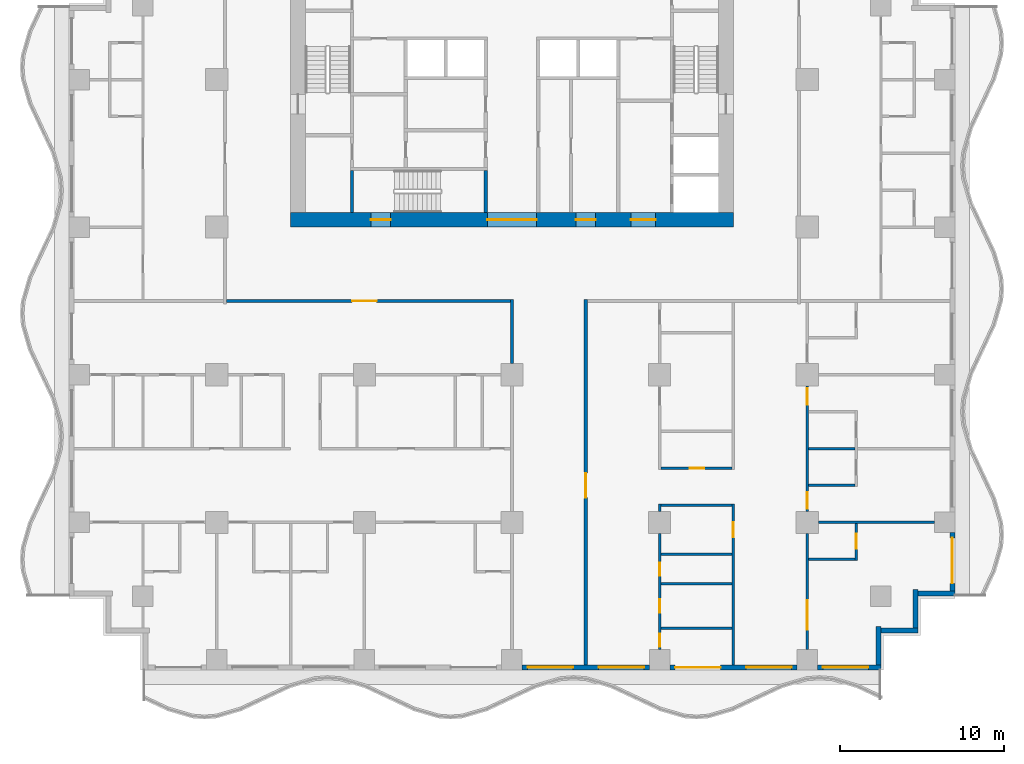
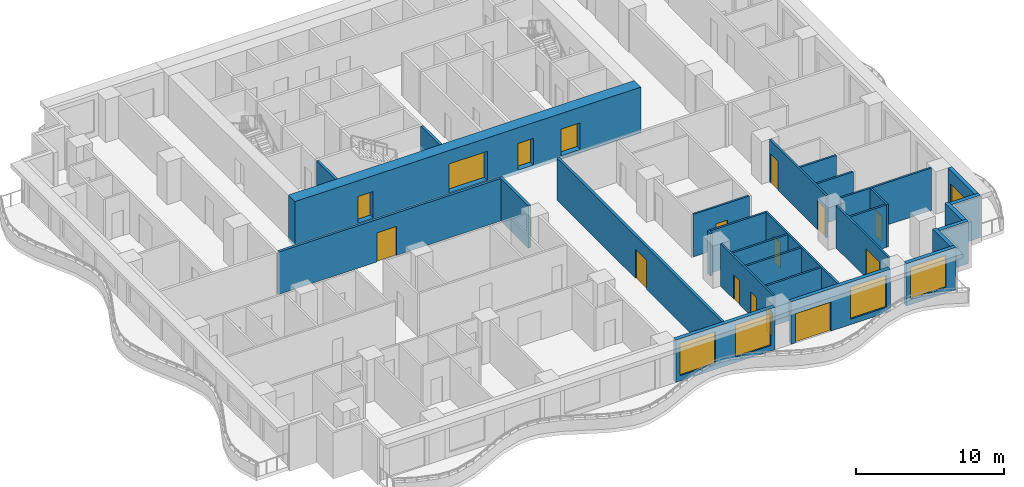
# One storey, part 3 of 14: 29 walls, 17 doors, 4 windows, 21 openings.
"""IFC4 building model written with IfcOpenShell, lengths in metres."""

import ifcopenshell
import ifcopenshell.guid

model = None  # the IFC model being written
_history = None  # IfcOwnerHistory: only IFC2X3 demands one
_inside = {}  # id of a spatial element -> (the spatial element, [elements in it])
_under = {}  # id of a project, library or spatial element -> (it, [spatial elements below it])
_declared = {}  # id of a project -> (the project, [libraries it declares])
_typed = {}  # id of a type object -> (the type object, [elements of that type])
_made_of = {}  # id of a material, layer set ... -> (it, [elements and type objects made of it])


def new_model(schema):
    """Start an empty IFC model of exactly this schema.

    Asked for "IFC4X3", IfcOpenShell would pick the latest addendum, in which some entities
    have other attributes; the version numbers below select the first issue.
    IFC2X3 requires an IfcOwnerHistory on every rooted entity: one is made here for all.
    """
    global model, _history
    if schema == "IFC4X3":
        model = ifcopenshell.file(schema_version=(4, 3, 0, 0))
    else:
        model = ifcopenshell.file(schema=schema)
    _inside.clear()
    _under.clear()
    _declared.clear()
    _typed.clear()
    _made_of.clear()
    _history = None
    if model.schema == "IFC2X3":
        org = make("IfcOrganization", Name="unknown")
        user = make(
            "IfcPersonAndOrganization",
            ThePerson=make("IfcPerson", FamilyName="unknown"),
            TheOrganization=org,
        )
        app = make(
            "IfcApplication",
            ApplicationDeveloper=org,
            Version="unknown",
            ApplicationFullName="unknown",
            ApplicationIdentifier="unknown",
        )
        _history = make(
            "IfcOwnerHistory",
            OwningUser=user,
            OwningApplication=app,
            ChangeAction="ADDED",
            CreationDate=0,
        )
    return model


def make(cls, **values):
    """One entity of the class cls with the attributes given. An attribute that is None is left unset."""
    return model.create_entity(
        cls, **{name: value for name, value in values.items() if value is not None}
    )


def rooted(cls, **values):
    """An entity with a GlobalId (a new one), such as an element, a storey or a relation."""
    return make(cls, GlobalId=ifcopenshell.guid.new(), OwnerHistory=_history, **values)


def si_unit(unit_type, name, prefix=None):
    """IfcSIUnit, for example si_unit("LENGTHUNIT", "METRE", prefix="MILLI")."""
    return make("IfcSIUnit", UnitType=unit_type, Prefix=prefix, Name=name)


def assignment(units):
    """IfcUnitAssignment: the units of a project."""
    return None if units is None else make("IfcUnitAssignment", Units=units)


def point(xyz):
    """IfcCartesianPoint."""
    return None if xyz is None else make("IfcCartesianPoint", Coordinates=xyz)


def direction(xyz):
    """IfcDirection."""
    return None if xyz is None else make("IfcDirection", DirectionRatios=xyz)


def frame(location, z_axis=None, x_axis=None):
    """IfcAxis2Placement3D, a coordinate frame: its origin and axes. An axis left out is left unset."""
    return make(
        "IfcAxis2Placement3D",
        Location=point(location),
        Axis=direction(z_axis),
        RefDirection=direction(x_axis),
    )


def frame_2d(location, x_axis=None):
    """IfcAxis2Placement2D, a coordinate frame in the plane: its origin and x axis."""
    return make(
        "IfcAxis2Placement2D", Location=point(location), RefDirection=direction(x_axis)
    )


def origin():
    """The frame at (0, 0, 0) with its axes left unset."""
    return frame((0.0, 0.0, 0.0))


def place(relative_to, where):
    """IfcLocalPlacement: puts the frame where relative to a parent placement (None: the world)."""
    return make(
        "IfcLocalPlacement", PlacementRelTo=relative_to, RelativePlacement=where
    )


def context(
    kind, dimensions, precision=None, world=None, true_north=None, identifier=None
):
    """IfcGeometricRepresentationContext, for example the 3D "Model" context."""
    return make(
        "IfcGeometricRepresentationContext",
        ContextIdentifier=identifier,
        ContextType=kind,
        CoordinateSpaceDimension=dimensions,
        Precision=precision,
        WorldCoordinateSystem=world,
        TrueNorth=true_north,
    )


def subcontext(parent, identifier, kind, view, scale=None):
    """IfcGeometricRepresentationSubContext, for example "Body" below "Model"."""
    return make(
        "IfcGeometricRepresentationSubContext",
        ContextIdentifier=identifier,
        ContextType=kind,
        ParentContext=parent,
        TargetScale=scale,
        TargetView=view,
    )


def project(units=None, contexts=None):
    """IfcProject with its units and contexts."""
    return rooted(
        "IfcProject",
        Name="project",
        RepresentationContexts=contexts,
        UnitsInContext=assignment(units),
    )


def spatial(cls, under=None, at=None, **own):
    """A site, building, storey or space (cls), placed at a placement, below another one or the project."""
    s = rooted(cls, ObjectPlacement=at, **own)
    if under is not None:
        _under.setdefault(under.id(), (under, []))[1].append(s)
    return s


def profile(cls, at=None, kind="AREA", **sizes):
    """A parametric profile (cls). Its sizes go by their IFC names, for example OverallWidth=200.0."""
    return make(cls, ProfileType=kind, Position=at, **sizes)


def rectangle(**sizes):
    """IfcRectangleProfileDef."""
    return profile("IfcRectangleProfileDef", **sizes)


def extrude(swept, where, along, depth):
    """IfcExtrudedAreaSolid: the profile swept, set in the frame where, extruded along a direction by depth."""
    return make(
        "IfcExtrudedAreaSolid",
        SweptArea=swept,
        Position=where,
        ExtrudedDirection=direction(along),
        Depth=depth,
    )


def shape(context_of_items, identifier, shape_type, items):
    """IfcShapeRepresentation: the items that make up one representation, for example the "Body"."""
    return make(
        "IfcShapeRepresentation",
        ContextOfItems=context_of_items,
        RepresentationIdentifier=identifier,
        RepresentationType=shape_type,
        Items=items,
    )


def material(Name=None, Category=None):
    """IfcMaterial."""
    return make("IfcMaterial", Name=Name, Category=Category)


def layer(
    of_material, thickness, ventilated=None, Name=None, Category=None, Priority=None
):
    """IfcMaterialLayer: one layer of a wall or slab, of a material (None: an air gap)."""
    return make(
        "IfcMaterialLayer",
        Material=of_material,
        LayerThickness=thickness,
        IsVentilated=ventilated,
        Name=Name,
        Category=Category,
        Priority=Priority,
    )


def layer_set(layers, Name=None):
    """IfcMaterialLayerSet."""
    return make("IfcMaterialLayerSet", MaterialLayers=layers, LayerSetName=Name)


def made_of(thing, what):
    """Note that an element or type object is made of a material, layer set ...; save() writes the relation."""
    if what is not None:
        _made_of.setdefault(what.id(), (what, []))[1].append(thing)
    return thing


def type_object(cls, material=None, **own):
    """A type object (cls), such as IfcWallType, which elements share."""
    return made_of(rooted(cls, **own), material)


def element(
    cls,
    number,
    at=None,
    inside=None,
    cuts=None,
    type_object=None,
    material=None,
    context=None,
    identifier="Body",
    shape_type=None,
    held_by="IfcProductDefinitionShape",
    body=None,
    shapes=None,
    **own,
):
    """One element of the class cls, such as IfcWall. Its Tag is "e" and its number.

    at: its placement. inside: the storey or other place that contains it. cuts: it is an
    opening in that element (IfcRelVoidsElement). A single representation is given by context,
    identifier, shape_type and body (its items); several are given by shapes. held_by: the class
    of the entity that holds the representations. save() writes the other relations.
    """
    e = rooted(cls, Tag="e%d" % number, ObjectPlacement=at, **own)
    if body is not None:
        shapes = [shape(context, identifier, shape_type, body)]
    if shapes is not None:
        e.Representation = make(held_by, Representations=shapes)
    if inside is not None:
        _inside.setdefault(inside.id(), (inside, []))[1].append(e)
    if cuts is not None:
        rooted(
            "IfcRelVoidsElement", RelatingBuildingElement=cuts, RelatedOpeningElement=e
        )
    if type_object is not None:
        _typed.setdefault(type_object.id(), (type_object, []))[1].append(e)
    return made_of(e, material)


def fill(opening, filler):
    """IfcRelFillsElement: the door or window that sits in an opening."""
    return rooted(
        "IfcRelFillsElement",
        RelatingOpeningElement=opening,
        RelatedBuildingElement=filler,
    )


def aggregate(whole, parts):
    """IfcRelAggregates: a whole, such as a stair, and the parts it consists of."""
    return rooted("IfcRelAggregates", RelatingObject=whole, RelatedObjects=parts)


def save(model, path):
    """Write the relations noted so far, then the file.

    IfcRelAggregates (storeys below a building ...), IfcRelContainedInSpatialStructure (elements
    in a storey), IfcRelDefinesByType, IfcRelAssociatesMaterial and IfcRelDeclares: one each for
    every whole, place, type object, material and project.
    """
    for whole, parts in _under.values():
        aggregate(whole, parts)
    for where, things in _inside.values():
        rooted(
            "IfcRelContainedInSpatialStructure",
            RelatedElements=things,
            RelatingStructure=where,
        )
    for kind, things in _typed.values():
        rooted("IfcRelDefinesByType", RelatedObjects=things, RelatingType=kind)
    for what, things in _made_of.values():
        rooted("IfcRelAssociatesMaterial", RelatedObjects=things, RelatingMaterial=what)
    for by, libraries in _declared.values():
        rooted("IfcRelDeclares", RelatingContext=by, RelatedDefinitions=libraries)
    model.write(path)


model = new_model("IFC4")

# Units and contexts
model_context = context("Model", 3, precision=1e-05, world=origin(), true_north=direction((0.0, 1.0)))
body_context = subcontext(model_context, "Body", "Model", "MODEL_VIEW")
ifc_project = project(units=[si_unit("LENGTHUNIT", "METRE"), si_unit("AREAUNIT", "SQUARE_METRE"), si_unit("VOLUMEUNIT", "CUBIC_METRE"), si_unit("PLANEANGLEUNIT", "RADIAN"), si_unit("MASSUNIT", "GRAM", prefix="KILO")], contexts=[model_context])

# Site, building, storey
site_placement = place(None, origin())
site = spatial("IfcSite", under=ifc_project, at=site_placement, CompositionType="ELEMENT")
building_placement = place(site_placement, origin())
building = spatial("IfcBuilding", under=site, at=building_placement, Name="Orbiselva Terraces", CompositionType="ELEMENT")
storey_placement = place(building_placement, frame((0.0, 0.0, 107.4)))
storey = spatial("IfcBuildingStorey", under=building, at=storey_placement, Name="L27", CompositionType="ELEMENT", Elevation=107.4)

# Wall, openings, doors
ifc_material_1 = material(Name="Concrete C80/95", Category="concrete")
ifc_layer_1 = layer(ifc_material_1, 0.9)
ifc_layer_set_1 = layer_set([ifc_layer_1], Name="Concrete C80/95")
wall_type_1 = type_object("IfcWallType", Name="CORE WALL 900", PredefinedType="SHEAR", material=ifc_layer_set_1)
wall_1_placement = place(storey_placement, frame((-13.5, 4.95, -0.3), z_axis=(0.0, 0.0, 1.0), x_axis=(1.0, 0.0, 0.0)))
wall_1 = element("IfcWall", 1, at=wall_1_placement, inside=storey, type_object=wall_type_1, Name="Core wall L27 south", PredefinedType="SHEAR", context=body_context, shape_type="SweptSolid", body=[
    extrude(rectangle(XDim=27.0, YDim=0.9, at=frame_2d((13.5, 0.0))), origin(), (0.0, 0.0, 1.0), 3.8),
])
opening_1_placement = place(wall_1_placement, frame((12.0, 0.0, 0.3)))
opening_1 = element("IfcOpeningElement", 2, at=opening_1_placement, cuts=wall_1, Name="Opening DL3000", PredefinedType="OPENING", context=body_context, shape_type="SweptSolid", body=[
    extrude(rectangle(XDim=3.0, YDim=2.4, at=frame_2d((1.5, 1.2))), frame((0.0, 0.46, 0.0), z_axis=(0.0, -1.0, 0.0), x_axis=(1.0, 0.0, 0.0)), (0.0, 0.0, 1.0), 0.92),
])
opening_2_placement = place(wall_1_placement, frame((4.9, 0.0, 0.3)))
opening_2 = element("IfcOpeningElement", 3, at=opening_2_placement, cuts=wall_1, Name="Opening DS1200", PredefinedType="OPENING", context=body_context, shape_type="SweptSolid", body=[
    extrude(rectangle(XDim=1.2, YDim=2.2, at=frame_2d((0.6, 1.1))), frame((0.0, 0.46, 0.0), z_axis=(0.0, -1.0, 0.0), x_axis=(1.0, 0.0, 0.0)), (0.0, 0.0, 1.0), 0.92),
])
opening_3_placement = place(wall_1_placement, frame((20.75, 0.0, 0.3)))
opening_3 = element("IfcOpeningElement", 4, at=opening_3_placement, cuts=wall_1, Name="Opening DF1500", PredefinedType="OPENING", context=body_context, shape_type="SweptSolid", body=[
    extrude(rectangle(XDim=1.5, YDim=2.2, at=frame_2d((0.75, 1.1))), frame((0.0, 0.46, 0.0), z_axis=(0.0, -1.0, 0.0), x_axis=(1.0, 0.0, 0.0)), (0.0, 0.0, 1.0), 0.92),
])
opening_4_placement = place(wall_1_placement, frame((17.4, 0.0, 0.3)))
opening_4 = element("IfcOpeningElement", 5, at=opening_4_placement, cuts=wall_1, Name="Opening DV1200", PredefinedType="OPENING", context=body_context, shape_type="SweptSolid", body=[
    extrude(rectangle(XDim=1.2, YDim=2.2, at=frame_2d((0.6, 1.1))), frame((0.0, 0.46, 0.0), z_axis=(0.0, -1.0, 0.0), x_axis=(1.0, 0.0, 0.0)), (0.0, 0.0, 1.0), 0.92),
])
ifc_material_2 = material(Name="Steel fire door", Category="steel")
door_type_1 = type_object("IfcDoorType", Name="FFL DOOR 1500", OperationType="DOUBLE_DOOR_SINGLE_SWING", PredefinedType="DOOR", material=ifc_material_2)
door_1_placement = place(opening_3_placement, frame((1.5, 0.0, 0.0), z_axis=(0.0, 0.0, 1.0), x_axis=(-1.0, 0.0, 0.0)))
door_1 = element("IfcDoor", 6, at=door_1_placement, inside=storey, type_object=door_type_1, Name="L27 FIRE-FIGHTING LOBBY door", OperationType="DOUBLE_DOOR_SINGLE_SWING", OverallHeight=2.2, OverallWidth=1.5, PredefinedType="DOOR", context=body_context, shape_type="SweptSolid", body=[
    extrude(rectangle(XDim=1.5, YDim=2.2, at=frame_2d((0.75, 1.1))), frame((0.0, 0.025, 0.0), z_axis=(0.0, -1.0, 0.0), x_axis=(1.0, 0.0, 0.0)), (0.0, 0.0, 1.0), 0.05),
])
fill(opening_3, door_1)
door_type_2 = type_object("IfcDoorType", Name="LOBBY DOOR 3000", OperationType="DOUBLE_DOOR_SINGLE_SWING", PredefinedType="DOOR", material=ifc_material_2)
door_2_placement = place(opening_1_placement, frame((3.0, 0.0, 0.0), z_axis=(0.0, 0.0, 1.0), x_axis=(-1.0, 0.0, 0.0)))
door_2 = element("IfcDoor", 7, at=door_2_placement, inside=storey, type_object=door_type_2, Name="L27 LIFT LOBBY door", OperationType="DOUBLE_DOOR_SINGLE_SWING", OverallHeight=2.4, OverallWidth=3.0, PredefinedType="DOOR", context=body_context, shape_type="SweptSolid", body=[
    extrude(rectangle(XDim=3.0, YDim=2.4, at=frame_2d((1.5, 1.2))), frame((0.0, 0.025, 0.0), z_axis=(0.0, -1.0, 0.0), x_axis=(1.0, 0.0, 0.0)), (0.0, 0.0, 1.0), 0.05),
])
fill(opening_1, door_2)
door_type_3 = type_object("IfcDoorType", Name="SERVICE DOOR 1200", OperationType="NOTDEFINED", PredefinedType="DOOR", material=ifc_material_2)
door_3_placement = place(opening_4_placement, frame((1.2, 0.0, 0.0), z_axis=(0.0, 0.0, 1.0), x_axis=(-1.0, 0.0, 0.0)))
door_3 = element("IfcDoor", 8, at=door_3_placement, inside=storey, type_object=door_type_3, Name="L27 SERVICE ROOM door", OperationType="SINGLE_SWING_RIGHT", OverallHeight=2.2, OverallWidth=1.2, PredefinedType="DOOR", context=body_context, shape_type="SweptSolid", body=[
    extrude(rectangle(XDim=1.2, YDim=2.2, at=frame_2d((0.6, 1.1))), frame((0.0, 0.025, 0.0), z_axis=(0.0, -1.0, 0.0), x_axis=(1.0, 0.0, 0.0)), (0.0, 0.0, 1.0), 0.05),
])
fill(opening_4, door_3)
door_type_4 = type_object("IfcDoorType", Name="STAIR DOOR 1200", OperationType="NOTDEFINED", PredefinedType="DOOR", material=ifc_material_2)
door_4_placement = place(opening_2_placement, frame((1.2, 0.0, 0.0), z_axis=(0.0, 0.0, 1.0), x_axis=(-1.0, 0.0, 0.0)))
door_4 = element("IfcDoor", 9, at=door_4_placement, inside=storey, type_object=door_type_4, Name="L27 EXIT STAIR S3 door", OperationType="SINGLE_SWING_LEFT", OverallHeight=2.2, OverallWidth=1.2, PredefinedType="DOOR", context=body_context, shape_type="SweptSolid", body=[
    extrude(rectangle(XDim=1.2, YDim=2.2, at=frame_2d((0.6, 1.1))), frame((0.0, 0.025, 0.0), z_axis=(0.0, -1.0, 0.0), x_axis=(1.0, 0.0, 0.0)), (0.0, 0.0, 1.0), 0.05),
])
fill(opening_2, door_4)

# Walls
ifc_material_3 = material(Name="Concrete C60/75", Category="concrete")
ifc_layer_2 = layer(ifc_material_3, 0.2)
ifc_layer_set_2 = layer_set([ifc_layer_2], Name="Concrete C60/75")
wall_type_2 = type_object("IfcWallType", Name="CORE-WALL-SHEAR-200", PredefinedType="SHEAR", material=ifc_layer_set_2)
for number, where, z_axis, x_axis, name in (
    (10, (-9.75, 5.4, 0.0), (0.0, 0.0, 1.0), (0.0, 1.0, 0.0), "L27 core wall 03"),
    (11, (-1.6, 5.4, 0.0), (0.0, 0.0, 1.0), (0.0, 1.0, 0.0), "L27 core wall 24"),
):
    element("IfcWall", number, at=place(storey_placement, frame(where, z_axis=z_axis, x_axis=x_axis)), inside=storey, type_object=wall_type_2, Name=name, PredefinedType="SHEAR", context=body_context, shape_type="SweptSolid", body=[
        extrude(rectangle(XDim=2.55, YDim=0.2, at=frame_2d((1.275, 0.0))), origin(), (0.0, 0.0, 1.0), 3.5),
    ])

# Wall, openings, windows
ifc_material_4 = material(Name="Terracotta cladding on masonry backing", Category="masonry")
ifc_layer_3 = layer(ifc_material_4, 0.3)
ifc_layer_set_3 = layer_set([ifc_layer_3], Name="Terracotta cladding on masonry backing")
wall_type_3 = type_object("IfcWallType", Name="ENV-WALL-TERRACOTTA-300", PredefinedType="SOLIDWALL", material=ifc_layer_set_3)
wall_2_placement = place(storey_placement, frame((8.375, -22.35, 0.0), z_axis=(0.0, 0.0, 1.0), x_axis=(-1.0, 0.0, 0.0)))
wall_2 = element("IfcWall", 12, at=wall_2_placement, inside=storey, type_object=wall_type_3, Name="Facade wall L27 S", PredefinedType="SOLIDWALL", context=body_context, shape_type="SweptSolid", body=[
    extrude(rectangle(XDim=7.75, YDim=0.3, at=frame_2d((3.875, 0.0))), origin(), (0.0, 0.0, 1.0), 3.5),
])
opening_5_placement = place(wall_2_placement, frame((4.65, 0.0, 0.45)))
opening_5 = element("IfcOpeningElement", 13, at=opening_5_placement, cuts=wall_2, Name="Opening WN6", PredefinedType="OPENING", context=body_context, shape_type="SweptSolid", body=[
    extrude(rectangle(XDim=2.775, YDim=2.65, at=frame_2d((1.3875, 1.325))), frame((0.0, 0.16, 0.0), z_axis=(0.0, -1.0, 0.0), x_axis=(1.0, 0.0, 0.0)), (0.0, 0.0, 1.0), 0.32),
])
opening_6_placement = place(wall_2_placement, frame((0.325, 0.0, 0.45)))
opening_6 = element("IfcOpeningElement", 14, at=opening_6_placement, cuts=wall_2, Name="Opening WN6", PredefinedType="OPENING", context=body_context, shape_type="SweptSolid", body=[
    extrude(rectangle(XDim=2.775, YDim=2.65, at=frame_2d((1.3875, 1.325))), frame((0.0, 0.16, 0.0), z_axis=(0.0, -1.0, 0.0), x_axis=(1.0, 0.0, 0.0)), (0.0, 0.0, 1.0), 0.32),
])
ifc_material_5 = material(Name="Clear low-e glazing in aluminium frame", Category="aluminium")
window_type = type_object("IfcWindowType", Name="WINDOW 2775 X 2650 S450", PartitioningType="TRIPLE_PANEL_VERTICAL", PredefinedType="WINDOW", material=ifc_material_5)
window_1_placement = place(opening_5_placement, origin())
window_1 = element("IfcWindow", 15, at=window_1_placement, inside=storey, type_object=window_type, Name="Window L27 S", OverallHeight=2.65, OverallWidth=2.775, PartitioningType="SINGLE_PANEL", PredefinedType="WINDOW", context=body_context, shape_type="SweptSolid", body=[
    extrude(rectangle(XDim=2.775, YDim=2.65, at=frame_2d((1.3875, 1.325))), frame((0.0, 0.03, 0.0), z_axis=(0.0, -1.0, 0.0), x_axis=(1.0, 0.0, 0.0)), (0.0, 0.0, 1.0), 0.06),
])
fill(opening_5, window_1)
window_2_placement = place(opening_6_placement, origin())
window_2 = element("IfcWindow", 16, at=window_2_placement, inside=storey, type_object=window_type, Name="Window L27 S", OverallHeight=2.65, OverallWidth=2.775, PartitioningType="SINGLE_PANEL", PredefinedType="WINDOW", context=body_context, shape_type="SweptSolid", body=[
    extrude(rectangle(XDim=2.775, YDim=2.65, at=frame_2d((1.3875, 1.325))), frame((0.0, 0.03, 0.0), z_axis=(0.0, -1.0, 0.0), x_axis=(1.0, 0.0, 0.0)), (0.0, 0.0, 1.0), 0.06),
])
fill(opening_6, window_2)

# Wall, openings, door, window
wall_3_placement = place(storey_placement, frame((17.375, -22.35, 0.0), z_axis=(0.0, 0.0, 1.0), x_axis=(-1.0, 0.0, 0.0)))
wall_3 = element("IfcWall", 17, at=wall_3_placement, inside=storey, type_object=wall_type_3, Name="Facade wall L27 S", PredefinedType="SOLIDWALL", context=body_context, shape_type="SweptSolid", body=[
    extrude(rectangle(XDim=7.75, YDim=0.3, at=frame_2d((3.875, 0.0))), origin(), (0.0, 0.0, 1.0), 3.5),
])
opening_7_placement = place(wall_3_placement, frame((4.65, 0.0, 0.0)))
opening_7 = element("IfcOpeningElement", 18, at=opening_7_placement, cuts=wall_3, Name="Opening Z2-D-E03", PredefinedType="OPENING", context=body_context, shape_type="SweptSolid", body=[
    extrude(rectangle(XDim=2.775, YDim=2.4, at=frame_2d((1.3875, 1.2))), frame((0.0, 0.16, 0.0), z_axis=(0.0, -1.0, 0.0), x_axis=(1.0, 0.0, 0.0)), (0.0, 0.0, 1.0), 0.32),
])
opening_8_placement = place(wall_3_placement, frame((0.325, 0.0, 0.45)))
opening_8 = element("IfcOpeningElement", 19, at=opening_8_placement, cuts=wall_3, Name="Opening WN6", PredefinedType="OPENING", context=body_context, shape_type="SweptSolid", body=[
    extrude(rectangle(XDim=2.775, YDim=2.65, at=frame_2d((1.3875, 1.325))), frame((0.0, 0.16, 0.0), z_axis=(0.0, -1.0, 0.0), x_axis=(1.0, 0.0, 0.0)), (0.0, 0.0, 1.0), 0.32),
])
door_type_5 = type_object("IfcDoorType", Name="BALCONY DOOR 2775 X 2400", OperationType="DOUBLE_DOOR_SLIDING", PredefinedType="DOOR", material=ifc_material_5)
door_5_placement = place(opening_7_placement, origin())
door_5 = element("IfcDoor", 20, at=door_5_placement, inside=storey, type_object=door_type_5, Name="Z2-D-E03", OperationType="SINGLE_SWING_LEFT", OverallHeight=2.4, OverallWidth=2.775, PredefinedType="DOOR", context=body_context, shape_type="SweptSolid", body=[
    extrude(rectangle(XDim=2.775, YDim=2.4, at=frame_2d((1.3875, 1.2))), frame((0.0, 0.025, 0.0), z_axis=(0.0, -1.0, 0.0), x_axis=(1.0, 0.0, 0.0)), (0.0, 0.0, 1.0), 0.05),
])
fill(opening_7, door_5)
window_3_placement = place(opening_8_placement, origin())
window_3 = element("IfcWindow", 21, at=window_3_placement, inside=storey, type_object=window_type, Name="Window L27 S", OverallHeight=2.65, OverallWidth=2.775, PartitioningType="SINGLE_PANEL", PredefinedType="WINDOW", context=body_context, shape_type="SweptSolid", body=[
    extrude(rectangle(XDim=2.775, YDim=2.65, at=frame_2d((1.3875, 1.325))), frame((0.0, 0.03, 0.0), z_axis=(0.0, -1.0, 0.0), x_axis=(1.0, 0.0, 0.0)), (0.0, 0.0, 1.0), 0.06),
])
fill(opening_8, window_3)

# Wall, opening, window
wall_4_placement = place(storey_placement, frame((22.5, -22.35, 0.0), z_axis=(0.0, 0.0, 1.0), x_axis=(-1.0, 0.0, 0.0)))
wall_4 = element("IfcWall", 22, at=wall_4_placement, inside=storey, type_object=wall_type_3, Name="Facade wall L27 S", PredefinedType="SOLIDWALL", context=body_context, shape_type="SweptSolid", body=[
    extrude(rectangle(XDim=3.875, YDim=0.3, at=frame_2d((1.9375, 0.0))), origin(), (0.0, 0.0, 1.0), 3.5),
])
opening_9_placement = place(wall_4_placement, frame((0.775, 0.0, 0.45)))
opening_9 = element("IfcOpeningElement", 23, at=opening_9_placement, cuts=wall_4, Name="Opening WN6", PredefinedType="OPENING", context=body_context, shape_type="SweptSolid", body=[
    extrude(rectangle(XDim=2.775, YDim=2.65, at=frame_2d((1.3875, 1.325))), frame((0.0, 0.16, 0.0), z_axis=(0.0, -1.0, 0.0), x_axis=(1.0, 0.0, 0.0)), (0.0, 0.0, 1.0), 0.32),
])
window_4_placement = place(opening_9_placement, origin())
window_4 = element("IfcWindow", 24, at=window_4_placement, inside=storey, type_object=window_type, Name="Window L27 S", OverallHeight=2.65, OverallWidth=2.775, PartitioningType="SINGLE_PANEL", PredefinedType="WINDOW", context=body_context, shape_type="SweptSolid", body=[
    extrude(rectangle(XDim=2.775, YDim=2.65, at=frame_2d((1.3875, 1.325))), frame((0.0, 0.03, 0.0), z_axis=(0.0, -1.0, 0.0), x_axis=(1.0, 0.0, 0.0)), (0.0, 0.0, 1.0), 0.06),
])
fill(opening_9, window_4)

# Walls
wall_5_placement = place(storey_placement, frame((22.35, -19.85, 0.0), z_axis=(0.0, 0.0, 1.0), x_axis=(0.0, -1.0, 0.0)))
element("IfcWall", 25, at=wall_5_placement, inside=storey, type_object=wall_type_3, Name="Facade wall L27 STEP", PredefinedType="SOLIDWALL", context=body_context, shape_type="SweptSolid", body=[
    extrude(rectangle(XDim=2.35, YDim=0.3, at=frame_2d((1.175, 0.0))), origin(), (0.0, 0.0, 1.0), 3.5),
])
wall_6_placement = place(storey_placement, frame((24.75, -20.1, 0.0), z_axis=(0.0, 0.0, 1.0), x_axis=(-1.0, 0.0, 0.0)))
element("IfcWall", 26, at=wall_6_placement, inside=storey, type_object=wall_type_3, Name="Facade wall L27 STEP", PredefinedType="SOLIDWALL", context=body_context, shape_type="SweptSolid", body=[
    extrude(rectangle(XDim=2.25, YDim=0.3, at=frame_2d((1.125, 0.0))), origin(), (0.0, 0.0, 1.0), 3.5),
])
wall_7_placement = place(storey_placement, frame((24.6, -17.6, 0.0), z_axis=(0.0, 0.0, 1.0), x_axis=(0.0, -1.0, 0.0)))
element("IfcWall", 27, at=wall_7_placement, inside=storey, type_object=wall_type_3, Name="Facade wall L27 STEP", PredefinedType="SOLIDWALL", context=body_context, shape_type="SweptSolid", body=[
    extrude(rectangle(XDim=2.35, YDim=0.3, at=frame_2d((1.175, 0.0))), origin(), (0.0, 0.0, 1.0), 3.5),
])
wall_8_placement = place(storey_placement, frame((27.0, -17.85, 0.0), z_axis=(0.0, 0.0, 1.0), x_axis=(-1.0, 0.0, 0.0)))
element("IfcWall", 28, at=wall_8_placement, inside=storey, type_object=wall_type_3, Name="Facade wall L27 STEP", PredefinedType="SOLIDWALL", context=body_context, shape_type="SweptSolid", body=[
    extrude(rectangle(XDim=2.25, YDim=0.3, at=frame_2d((1.125, 0.0))), origin(), (0.0, 0.0, 1.0), 3.5),
])

# Wall, opening, door
wall_9_placement = place(storey_placement, frame((26.85, -14.125, 0.0), z_axis=(0.0, 0.0, 1.0), x_axis=(0.0, -1.0, 0.0)))
wall_9 = element("IfcWall", 29, at=wall_9_placement, inside=storey, type_object=wall_type_3, Name="Facade wall L27 E", PredefinedType="SOLIDWALL", context=body_context, shape_type="SweptSolid", body=[
    extrude(rectangle(XDim=3.575, YDim=0.3, at=frame_2d((1.7875, 0.0))), origin(), (0.0, 0.0, 1.0), 3.5),
])
opening_10_placement = place(wall_9_placement, frame((0.325, 0.0, 0.0)))
opening_10 = element("IfcOpeningElement", 30, at=opening_10_placement, cuts=wall_9, Name="Opening Z2-D-E14", PredefinedType="OPENING", context=body_context, shape_type="SweptSolid", body=[
    extrude(rectangle(XDim=2.775, YDim=2.4, at=frame_2d((1.3875, 1.2))), frame((0.0, 0.16, 0.0), z_axis=(0.0, -1.0, 0.0), x_axis=(1.0, 0.0, 0.0)), (0.0, 0.0, 1.0), 0.32),
])
door_6_placement = place(opening_10_placement, origin())
door_6 = element("IfcDoor", 31, at=door_6_placement, inside=storey, type_object=door_type_5, Name="Z2-D-E14", OperationType="SINGLE_SWING_LEFT", OverallHeight=2.4, OverallWidth=2.775, PredefinedType="DOOR", context=body_context, shape_type="SweptSolid", body=[
    extrude(rectangle(XDim=2.775, YDim=2.4, at=frame_2d((1.3875, 1.2))), frame((0.0, 0.025, 0.0), z_axis=(0.0, -1.0, 0.0), x_axis=(1.0, 0.0, 0.0)), (0.0, 0.0, 1.0), 0.05),
])
fill(opening_10, door_6)

ifc_material_6 = material(Name="Plasterboard on steel stud partition", Category="steel")
ifc_layer_4 = layer(ifc_material_6, 0.2)
ifc_layer_set_4 = layer_set([ifc_layer_4], Name="Plasterboard on steel stud partition")
wall_type_4 = type_object("IfcWallType", Name="UNIT-ENTRANCE-WALL-200", PredefinedType="PARTITIONING", material=ifc_layer_set_4)
wall_10_placement = place(storey_placement, frame((-0.1, 0.0, 0.0), z_axis=(0.0, 0.0, 1.0), x_axis=(-1.0, 0.0, 0.0)))
wall_10 = element("IfcWall", 32, at=wall_10_placement, inside=storey, type_object=wall_type_4, Name="PARTITION L27-029", PredefinedType="PARTITIONING", context=body_context, shape_type="SweptSolid", body=[
    extrude(rectangle(XDim=17.3, YDim=0.2, at=frame_2d((8.65, 0.0))), origin(), (0.0, 0.0, 1.0), 3.5),
])
opening_11_placement = place(wall_10_placement, frame((8.15, 0.0, 0.0)))
opening_11 = element("IfcOpeningElement", 33, at=opening_11_placement, cuts=wall_10, Name="Opening Z2-D-15", PredefinedType="OPENING", context=body_context, shape_type="SweptSolid", body=[
    extrude(rectangle(XDim=1.5, YDim=2.4, at=frame_2d((0.75, 1.2))), frame((0.0, 0.11, 0.0), z_axis=(0.0, -1.0, 0.0), x_axis=(1.0, 0.0, 0.0)), (0.0, 0.0, 1.0), 0.22),
])
ifc_material_7 = material(Name="Painted timber door leaf", Category="wood")
door_type_6 = type_object("IfcDoorType", Name="ENTRANCE DOUBLE DOOR 1500", OperationType="NOTDEFINED", PredefinedType="DOOR", material=ifc_material_7)
door_7_placement = place(opening_11_placement, origin())
door_7 = element("IfcDoor", 34, at=door_7_placement, inside=storey, type_object=door_type_6, Name="Z2-D-15", OperationType="DOUBLE_DOOR_SINGLE_SWING", OverallHeight=2.4, OverallWidth=1.5, PredefinedType="DOOR", context=body_context, shape_type="SweptSolid", body=[
    extrude(rectangle(XDim=1.5, YDim=2.4, at=frame_2d((0.75, 1.2))), frame((0.0, 0.025, 0.0), z_axis=(0.0, -1.0, 0.0), x_axis=(1.0, 0.0, 0.0)), (0.0, 0.0, 1.0), 0.05),
])
fill(opening_11, door_7)

# Wall
wall_11_placement = place(storey_placement, frame((0.0, -3.825, 0.0), z_axis=(0.0, 0.0, 1.0), x_axis=(0.0, 1.0, 0.0)))
element("IfcWall", 35, at=wall_11_placement, inside=storey, type_object=wall_type_4, Name="PARTITION L27-071", PredefinedType="PARTITIONING", context=body_context, shape_type="SweptSolid", body=[
    extrude(rectangle(XDim=3.925, YDim=0.2, at=frame_2d((1.9625, 0.0))), origin(), (0.0, 0.0, 1.0), 3.5),
])

# Wall, opening, door
wall_12_placement = place(storey_placement, frame((4.5, 0.1, 0.0), z_axis=(0.0, 0.0, 1.0), x_axis=(0.0, -1.0, 0.0)))
wall_12 = element("IfcWall", 36, at=wall_12_placement, inside=storey, type_object=wall_type_4, Name="PARTITION L27-072", PredefinedType="PARTITIONING", context=body_context, shape_type="SweptSolid", body=[
    extrude(rectangle(XDim=22.3, YDim=0.2, at=frame_2d((11.15, 0.0))), origin(), (0.0, 0.0, 1.0), 3.5),
])
opening_12_placement = place(wall_12_placement, frame((10.6, 0.0, 0.0)))
opening_12 = element("IfcOpeningElement", 37, at=opening_12_placement, cuts=wall_12, Name="Opening Z2-D-34", PredefinedType="OPENING", context=body_context, shape_type="SweptSolid", body=[
    extrude(rectangle(XDim=1.5, YDim=2.4, at=frame_2d((0.75, 1.2))), frame((0.0, 0.11, 0.0), z_axis=(0.0, -1.0, 0.0), x_axis=(1.0, 0.0, 0.0)), (0.0, 0.0, 1.0), 0.22),
])
door_8_placement = place(opening_12_placement, origin())
door_8 = element("IfcDoor", 38, at=door_8_placement, inside=storey, type_object=door_type_6, Name="Z2-D-34", OperationType="DOUBLE_DOOR_SINGLE_SWING", OverallHeight=2.4, OverallWidth=1.5, PredefinedType="DOOR", context=body_context, shape_type="SweptSolid", body=[
    extrude(rectangle(XDim=1.5, YDim=2.4, at=frame_2d((0.75, 1.2))), frame((0.0, 0.025, 0.0), z_axis=(0.0, -1.0, 0.0), x_axis=(1.0, 0.0, 0.0)), (0.0, 0.0, 1.0), 0.05),
])
fill(opening_12, door_8)

# Walls
ifc_layer_5 = layer(ifc_material_6, 0.15)
ifc_layer_set_5 = layer_set([ifc_layer_5], Name="Plasterboard on steel stud partition")
wall_type_5 = type_object("IfcWallType", Name="UNIT-PARTITION-150", PredefinedType="PARTITIONING", material=ifc_layer_set_5)
for number, where, z_axis, x_axis, name in (
    (39, (9.075, -19.95, 0.0), (0.0, 0.0, 1.0), (1.0, 0.0, 0.0), "PARTITION L27-001"),
    (40, (9.075, -17.25, 0.0), (0.0, 0.0, 1.0), (1.0, 0.0, 0.0), "PARTITION L27-002"),
):
    element("IfcWall", number, at=place(storey_placement, frame(where, z_axis=z_axis, x_axis=x_axis)), inside=storey, type_object=wall_type_5, Name=name, PredefinedType="PARTITIONING", context=body_context, shape_type="SweptSolid", body=[
        extrude(rectangle(XDim=4.35, YDim=0.15, at=frame_2d((2.175, 0.0))), origin(), (0.0, 0.0, 1.0), 3.5),
    ])
wall_13_placement = place(storey_placement, frame((18.075, -15.75, 0.0), z_axis=(0.0, 0.0, 1.0), x_axis=(1.0, 0.0, 0.0)))
element("IfcWall", 41, at=wall_13_placement, inside=storey, type_object=wall_type_5, Name="PARTITION L27-007", PredefinedType="PARTITIONING", context=body_context, shape_type="SweptSolid", body=[
    extrude(rectangle(XDim=2.85, YDim=0.15, at=frame_2d((1.425, 0.0))), origin(), (0.0, 0.0, 1.0), 3.5),
])
wall_14_placement = place(storey_placement, frame((9.075, -15.45, 0.0), z_axis=(0.0, 0.0, 1.0), x_axis=(1.0, 0.0, 0.0)))
element("IfcWall", 42, at=wall_14_placement, inside=storey, type_object=wall_type_5, Name="PARTITION L27-008", PredefinedType="PARTITIONING", context=body_context, shape_type="SweptSolid", body=[
    extrude(rectangle(XDim=4.35, YDim=0.15, at=frame_2d((2.175, 0.0))), origin(), (0.0, 0.0, 1.0), 3.5),
])
wall_15_placement = place(storey_placement, frame((18.675, -13.5, 0.0), z_axis=(0.0, 0.0, 1.0), x_axis=(1.0, 0.0, 0.0)))
element("IfcWall", 43, at=wall_15_placement, inside=storey, type_object=wall_type_5, Name="PARTITION L27-012", PredefinedType="PARTITIONING", context=body_context, shape_type="SweptSolid", body=[
    extrude(rectangle(XDim=7.075, YDim=0.15, at=frame_2d((3.5375, 0.0))), origin(), (0.0, 0.0, 1.0), 3.5),
])
wall_16_placement = place(storey_placement, frame((9.075, -12.45, 0.0), z_axis=(0.0, 0.0, 1.0), x_axis=(1.0, 0.0, 0.0)))
element("IfcWall", 44, at=wall_16_placement, inside=storey, type_object=wall_type_5, Name="PARTITION L27-013", PredefinedType="PARTITIONING", context=body_context, shape_type="SweptSolid", body=[
    extrude(rectangle(XDim=4.35, YDim=0.15, at=frame_2d((2.175, 0.0))), origin(), (0.0, 0.0, 1.0), 3.5),
])
wall_17_placement = place(storey_placement, frame((18.075, -11.25, 0.0), z_axis=(0.0, 0.0, 1.0), x_axis=(1.0, 0.0, 0.0)))
element("IfcWall", 45, at=wall_17_placement, inside=storey, type_object=wall_type_5, Name="PARTITION L27-014", PredefinedType="PARTITIONING", context=body_context, shape_type="SweptSolid", body=[
    extrude(rectangle(XDim=2.85, YDim=0.15, at=frame_2d((1.425, 0.0))), origin(), (0.0, 0.0, 1.0), 3.5),
])

# Wall, opening, door
wall_18_placement = place(storey_placement, frame((9.075, -10.2, 0.0), z_axis=(0.0, 0.0, 1.0), x_axis=(1.0, 0.0, 0.0)))
wall_18 = element("IfcWall", 46, at=wall_18_placement, inside=storey, type_object=wall_type_5, Name="PARTITION L27-015", PredefinedType="PARTITIONING", context=body_context, shape_type="SweptSolid", body=[
    extrude(rectangle(XDim=4.35, YDim=0.15, at=frame_2d((2.175, 0.0))), origin(), (0.0, 0.0, 1.0), 3.5),
])
opening_13_placement = place(wall_18_placement, frame((1.75, 0.0, 0.0)))
opening_13 = element("IfcOpeningElement", 47, at=opening_13_placement, cuts=wall_18, Name="Opening Z2-D-37", PredefinedType="OPENING", context=body_context, shape_type="SweptSolid", body=[
    extrude(rectangle(XDim=0.9, YDim=2.1, at=frame_2d((0.45, 1.05))), frame((0.0, 0.085, 0.0), z_axis=(0.0, -1.0, 0.0), x_axis=(1.0, 0.0, 0.0)), (0.0, 0.0, 1.0), 0.17),
])
door_type_7 = type_object("IfcDoorType", Name="BATH DOOR 900", OperationType="NOTDEFINED", PredefinedType="DOOR", material=ifc_material_7)
door_9_placement = place(opening_13_placement, origin())
door_9 = element("IfcDoor", 48, at=door_9_placement, inside=storey, type_object=door_type_7, Name="Z2-D-37", OperationType="SINGLE_SWING_RIGHT", OverallHeight=2.1, OverallWidth=0.9, PredefinedType="DOOR", context=body_context, shape_type="SweptSolid", body=[
    extrude(rectangle(XDim=0.9, YDim=2.1, at=frame_2d((0.45, 1.05))), frame((0.0, 0.025, 0.0), z_axis=(0.0, -1.0, 0.0), x_axis=(1.0, 0.0, 0.0)), (0.0, 0.0, 1.0), 0.05),
])
fill(opening_13, door_9)

# Wall
wall_19_placement = place(storey_placement, frame((18.075, -9.0, 0.0), z_axis=(0.0, 0.0, 1.0), x_axis=(1.0, 0.0, 0.0)))
element("IfcWall", 49, at=wall_19_placement, inside=storey, type_object=wall_type_5, Name="PARTITION L27-018", PredefinedType="PARTITIONING", context=body_context, shape_type="SweptSolid", body=[
    extrude(rectangle(XDim=2.85, YDim=0.15, at=frame_2d((1.425, 0.0))), origin(), (0.0, 0.0, 1.0), 3.5),
])

# Wall, openings, doors
wall_20_placement = place(storey_placement, frame((9.0, -14.175, 0.0), z_axis=(0.0, 0.0, 1.0), x_axis=(0.0, -1.0, 0.0)))
wall_20 = element("IfcWall", 50, at=wall_20_placement, inside=storey, type_object=wall_type_5, Name="PARTITION L27-073", PredefinedType="PARTITIONING", context=body_context, shape_type="SweptSolid", body=[
    extrude(rectangle(XDim=7.075, YDim=0.15, at=frame_2d((3.5375, 0.0))), origin(), (0.0, 0.0, 1.0), 3.5),
])
opening_14_placement = place(wall_20_placement, frame((1.775, 0.0, 0.0)))
opening_14 = element("IfcOpeningElement", 51, at=opening_14_placement, cuts=wall_20, Name="Opening Z2-D-39", PredefinedType="OPENING", context=body_context, shape_type="SweptSolid", body=[
    extrude(rectangle(XDim=0.8, YDim=2.0, at=frame_2d((0.4, 1.0))), frame((0.0, 0.085, 0.0), z_axis=(0.0, -1.0, 0.0), x_axis=(1.0, 0.0, 0.0)), (0.0, 0.0, 1.0), 0.17),
])
opening_15_placement = place(wall_20_placement, frame((4.025, 0.0, 0.0)))
opening_15 = element("IfcOpeningElement", 52, at=opening_15_placement, cuts=wall_20, Name="Opening Z2-D-40", PredefinedType="OPENING", context=body_context, shape_type="SweptSolid", body=[
    extrude(rectangle(XDim=0.8, YDim=2.0, at=frame_2d((0.4, 1.0))), frame((0.0, 0.085, 0.0), z_axis=(0.0, -1.0, 0.0), x_axis=(1.0, 0.0, 0.0)), (0.0, 0.0, 1.0), 0.17),
])
opening_16_placement = place(wall_20_placement, frame((6.125, 0.0, 0.0)))
opening_16 = element("IfcOpeningElement", 53, at=opening_16_placement, cuts=wall_20, Name="Opening Z2-D-41", PredefinedType="OPENING", context=body_context, shape_type="SweptSolid", body=[
    extrude(rectangle(XDim=0.8, YDim=2.0, at=frame_2d((0.4, 1.0))), frame((0.0, 0.085, 0.0), z_axis=(0.0, -1.0, 0.0), x_axis=(1.0, 0.0, 0.0)), (0.0, 0.0, 1.0), 0.17),
])
door_type_8 = type_object("IfcDoorType", Name="STORE DOOR 800", OperationType="NOTDEFINED", PredefinedType="DOOR", material=ifc_material_7)
door_10_placement = place(opening_14_placement, origin())
door_10 = element("IfcDoor", 54, at=door_10_placement, inside=storey, type_object=door_type_8, Name="Z2-D-39", OperationType="SINGLE_SWING_LEFT", OverallHeight=2.0, OverallWidth=0.8, PredefinedType="DOOR", context=body_context, shape_type="SweptSolid", body=[
    extrude(rectangle(XDim=0.8, YDim=2.0, at=frame_2d((0.4, 1.0))), frame((0.0, 0.025, 0.0), z_axis=(0.0, -1.0, 0.0), x_axis=(1.0, 0.0, 0.0)), (0.0, 0.0, 1.0), 0.05),
])
fill(opening_14, door_10)
door_11_placement = place(opening_15_placement, origin())
door_11 = element("IfcDoor", 55, at=door_11_placement, inside=storey, type_object=door_type_8, Name="Z2-D-40", OperationType="SINGLE_SWING_RIGHT", OverallHeight=2.0, OverallWidth=0.8, PredefinedType="DOOR", context=body_context, shape_type="SweptSolid", body=[
    extrude(rectangle(XDim=0.8, YDim=2.0, at=frame_2d((0.4, 1.0))), frame((0.0, 0.025, 0.0), z_axis=(0.0, -1.0, 0.0), x_axis=(1.0, 0.0, 0.0)), (0.0, 0.0, 1.0), 0.05),
])
fill(opening_15, door_11)
door_12_placement = place(opening_16_placement, origin())
door_12 = element("IfcDoor", 56, at=door_12_placement, inside=storey, type_object=door_type_8, Name="Z2-D-41", OperationType="SINGLE_SWING_RIGHT", OverallHeight=2.0, OverallWidth=0.8, PredefinedType="DOOR", context=body_context, shape_type="SweptSolid", body=[
    extrude(rectangle(XDim=0.8, YDim=2.0, at=frame_2d((0.4, 1.0))), frame((0.0, 0.025, 0.0), z_axis=(0.0, -1.0, 0.0), x_axis=(1.0, 0.0, 0.0)), (0.0, 0.0, 1.0), 0.05),
])
fill(opening_16, door_12)

# Wall
wall_21_placement = place(storey_placement, frame((9.0, -12.825, 0.0), z_axis=(0.0, 0.0, 1.0), x_axis=(0.0, 1.0, 0.0)))
element("IfcWall", 57, at=wall_21_placement, inside=storey, type_object=wall_type_5, Name="PARTITION L27-074", PredefinedType="PARTITIONING", context=body_context, shape_type="SweptSolid", body=[
    extrude(rectangle(XDim=0.45, YDim=0.15, at=frame_2d((0.225, 0.0))), origin(), (0.0, 0.0, 1.0), 3.5),
])

# Wall, opening, door
wall_22_placement = place(storey_placement, frame((13.5, -22.2, 0.0), z_axis=(0.0, 0.0, 1.0), x_axis=(0.0, 1.0, 0.0)))
wall_22 = element("IfcWall", 58, at=wall_22_placement, inside=storey, type_object=wall_type_5, Name="PARTITION L27-077", PredefinedType="PARTITIONING", context=body_context, shape_type="SweptSolid", body=[
    extrude(rectangle(XDim=9.825, YDim=0.15, at=frame_2d((4.9125, 0.0))), origin(), (0.0, 0.0, 1.0), 3.5),
])
opening_17_placement = place(wall_22_placement, frame((7.8, 0.0, 0.0)))
opening_17 = element("IfcOpeningElement", 59, at=opening_17_placement, cuts=wall_22, Name="Opening Z2-D-38", PredefinedType="OPENING", context=body_context, shape_type="SweptSolid", body=[
    extrude(rectangle(XDim=0.9, YDim=2.1, at=frame_2d((0.45, 1.05))), frame((0.0, 0.085, 0.0), z_axis=(0.0, -1.0, 0.0), x_axis=(1.0, 0.0, 0.0)), (0.0, 0.0, 1.0), 0.17),
])
door_type_9 = type_object("IfcDoorType", Name="SERVICE DOOR 900", OperationType="NOTDEFINED", PredefinedType="DOOR", material=ifc_material_7)
door_13_placement = place(opening_17_placement, origin())
door_13 = element("IfcDoor", 60, at=door_13_placement, inside=storey, type_object=door_type_9, Name="Z2-D-38", OperationType="SINGLE_SWING_RIGHT", OverallHeight=2.1, OverallWidth=0.9, PredefinedType="DOOR", context=body_context, shape_type="SweptSolid", body=[
    extrude(rectangle(XDim=0.9, YDim=2.1, at=frame_2d((0.45, 1.05))), frame((0.0, 0.025, 0.0), z_axis=(0.0, -1.0, 0.0), x_axis=(1.0, 0.0, 0.0)), (0.0, 0.0, 1.0), 0.05),
])
fill(opening_17, door_13)

wall_23_placement = place(storey_placement, frame((18.0, -14.175, 0.0), z_axis=(0.0, 0.0, 1.0), x_axis=(0.0, -1.0, 0.0)))
wall_23 = element("IfcWall", 61, at=wall_23_placement, inside=storey, type_object=wall_type_5, Name="PARTITION L27-082", PredefinedType="PARTITIONING", context=body_context, shape_type="SweptSolid", body=[
    extrude(rectangle(XDim=7.075, YDim=0.15, at=frame_2d((3.5375, 0.0))), origin(), (0.0, 0.0, 1.0), 3.5),
])
opening_18_placement = place(wall_23_placement, frame((4.075, 0.0, 0.0)))
opening_18 = element("IfcOpeningElement", 62, at=opening_18_placement, cuts=wall_23, Name="Opening Z2-D-48", PredefinedType="OPENING", context=body_context, shape_type="SweptSolid", body=[
    extrude(rectangle(XDim=1.8, YDim=2.4, at=frame_2d((0.9, 1.2))), frame((0.0, 0.085, 0.0), z_axis=(0.0, -1.0, 0.0), x_axis=(1.0, 0.0, 0.0)), (0.0, 0.0, 1.0), 0.17),
])
door_type_10 = type_object("IfcDoorType", Name="DOUBLE DOOR 1800", OperationType="NOTDEFINED", PredefinedType="DOOR", material=ifc_material_7)
door_14_placement = place(opening_18_placement, origin())
door_14 = element("IfcDoor", 63, at=door_14_placement, inside=storey, type_object=door_type_10, Name="Z2-D-48", OperationType="DOUBLE_DOOR_SINGLE_SWING", OverallHeight=2.4, OverallWidth=1.8, PredefinedType="DOOR", context=body_context, shape_type="SweptSolid", body=[
    extrude(rectangle(XDim=1.8, YDim=2.4, at=frame_2d((0.9, 1.2))), frame((0.0, 0.025, 0.0), z_axis=(0.0, -1.0, 0.0), x_axis=(1.0, 0.0, 0.0)), (0.0, 0.0, 1.0), 0.05),
])
fill(opening_18, door_14)

# Wall, openings, doors
wall_24_placement = place(storey_placement, frame((18.0, -5.175, 0.0), z_axis=(0.0, 0.0, 1.0), x_axis=(0.0, -1.0, 0.0)))
wall_24 = element("IfcWall", 64, at=wall_24_placement, inside=storey, type_object=wall_type_5, Name="PARTITION L27-083", PredefinedType="PARTITIONING", context=body_context, shape_type="SweptSolid", body=[
    extrude(rectangle(XDim=7.65, YDim=0.15, at=frame_2d((3.825, 0.0))), origin(), (0.0, 0.0, 1.0), 3.5),
])
opening_19_placement = place(wall_24_placement, frame((0.15, 0.0, 0.0)))
opening_19 = element("IfcOpeningElement", 65, at=opening_19_placement, cuts=wall_24, Name="Opening Z2-D-44", PredefinedType="OPENING", context=body_context, shape_type="SweptSolid", body=[
    extrude(rectangle(XDim=1.0, YDim=2.4, at=frame_2d((0.5, 1.2))), frame((0.0, 0.085, 0.0), z_axis=(0.0, -1.0, 0.0), x_axis=(1.0, 0.0, 0.0)), (0.0, 0.0, 1.0), 0.17),
])
opening_20_placement = place(wall_24_placement, frame((6.5, 0.0, 0.0)))
opening_20 = element("IfcOpeningElement", 66, at=opening_20_placement, cuts=wall_24, Name="Opening Z2-D-46", PredefinedType="OPENING", context=body_context, shape_type="SweptSolid", body=[
    extrude(rectangle(XDim=1.0, YDim=2.4, at=frame_2d((0.5, 1.2))), frame((0.0, 0.085, 0.0), z_axis=(0.0, -1.0, 0.0), x_axis=(1.0, 0.0, 0.0)), (0.0, 0.0, 1.0), 0.17),
])
door_type_11 = type_object("IfcDoorType", Name="ROOM DOOR 1000", OperationType="NOTDEFINED", PredefinedType="DOOR", material=ifc_material_7)
door_15_placement = place(opening_19_placement, origin())
door_15 = element("IfcDoor", 67, at=door_15_placement, inside=storey, type_object=door_type_11, Name="Z2-D-44", OperationType="SINGLE_SWING_LEFT", OverallHeight=2.4, OverallWidth=1.0, PredefinedType="DOOR", context=body_context, shape_type="SweptSolid", body=[
    extrude(rectangle(XDim=1.0, YDim=2.4, at=frame_2d((0.5, 1.2))), frame((0.0, 0.025, 0.0), z_axis=(0.0, -1.0, 0.0), x_axis=(1.0, 0.0, 0.0)), (0.0, 0.0, 1.0), 0.05),
])
fill(opening_19, door_15)
door_16_placement = place(opening_20_placement, origin())
door_16 = element("IfcDoor", 68, at=door_16_placement, inside=storey, type_object=door_type_11, Name="Z2-D-46", OperationType="SINGLE_SWING_RIGHT", OverallHeight=2.4, OverallWidth=1.0, PredefinedType="DOOR", context=body_context, shape_type="SweptSolid", body=[
    extrude(rectangle(XDim=1.0, YDim=2.4, at=frame_2d((0.5, 1.2))), frame((0.0, 0.025, 0.0), z_axis=(0.0, -1.0, 0.0), x_axis=(1.0, 0.0, 0.0)), (0.0, 0.0, 1.0), 0.05),
])
fill(opening_20, door_16)

# Wall, opening, door
wall_25_placement = place(storey_placement, frame((21.0, -15.825, 0.0), z_axis=(0.0, 0.0, 1.0), x_axis=(0.0, 1.0, 0.0)))
wall_25 = element("IfcWall", 69, at=wall_25_placement, inside=storey, type_object=wall_type_5, Name="PARTITION L27-085", PredefinedType="PARTITIONING", context=body_context, shape_type="SweptSolid", body=[
    extrude(rectangle(XDim=2.25, YDim=0.15, at=frame_2d((1.125, 0.0))), origin(), (0.0, 0.0, 1.0), 3.5),
])
opening_21_placement = place(wall_25_placement, frame((0.725, 0.0, 0.0)))
opening_21 = element("IfcOpeningElement", 70, at=opening_21_placement, cuts=wall_25, Name="Opening Z2-D-49", PredefinedType="OPENING", context=body_context, shape_type="SweptSolid", body=[
    extrude(rectangle(XDim=0.9, YDim=2.1, at=frame_2d((0.45, 1.05))), frame((0.0, 0.085, 0.0), z_axis=(0.0, -1.0, 0.0), x_axis=(1.0, 0.0, 0.0)), (0.0, 0.0, 1.0), 0.17),
])
door_17_placement = place(opening_21_placement, origin())
door_17 = element("IfcDoor", 71, at=door_17_placement, inside=storey, type_object=door_type_7, Name="Z2-D-49", OperationType="SINGLE_SWING_RIGHT", OverallHeight=2.1, OverallWidth=0.9, PredefinedType="DOOR", context=body_context, shape_type="SweptSolid", body=[
    extrude(rectangle(XDim=0.9, YDim=2.1, at=frame_2d((0.45, 1.05))), frame((0.0, 0.025, 0.0), z_axis=(0.0, -1.0, 0.0), x_axis=(1.0, 0.0, 0.0)), (0.0, 0.0, 1.0), 0.05),
])
fill(opening_21, door_17)

save(model, "model.ifc")
